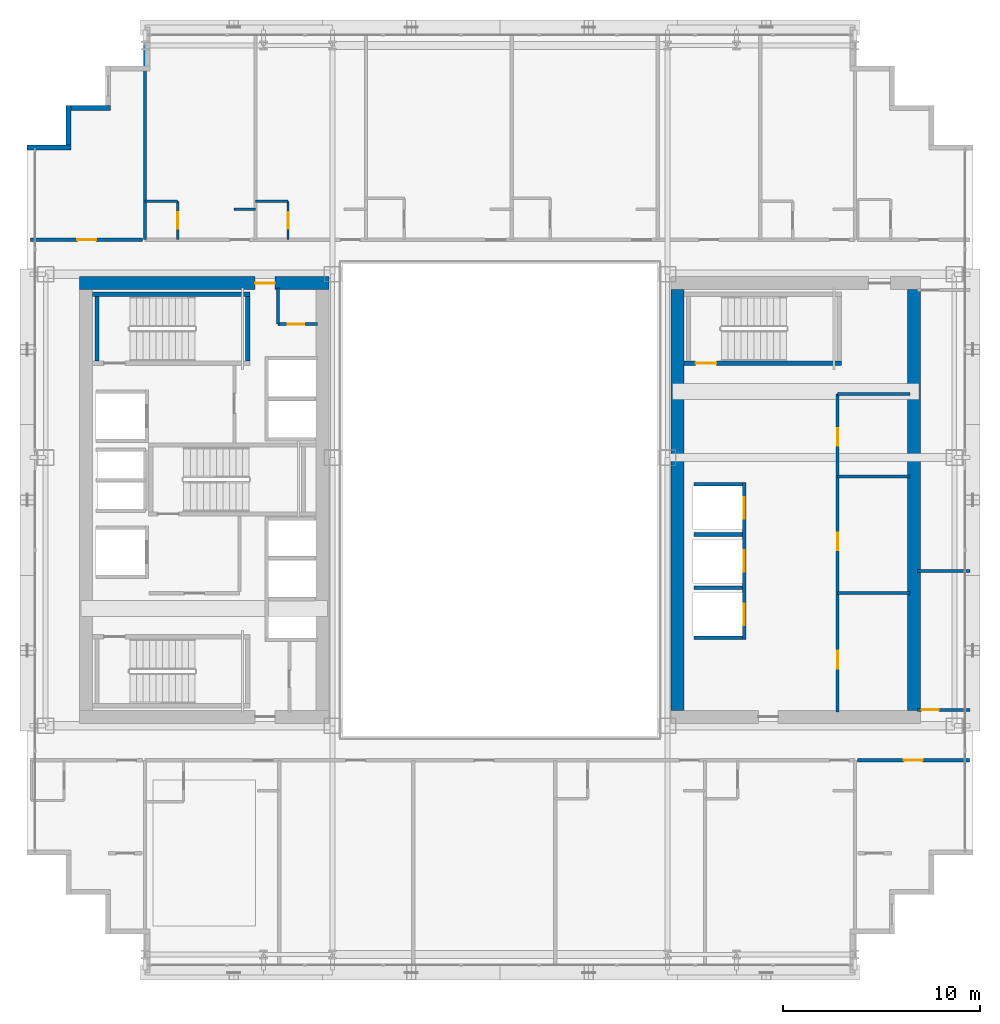
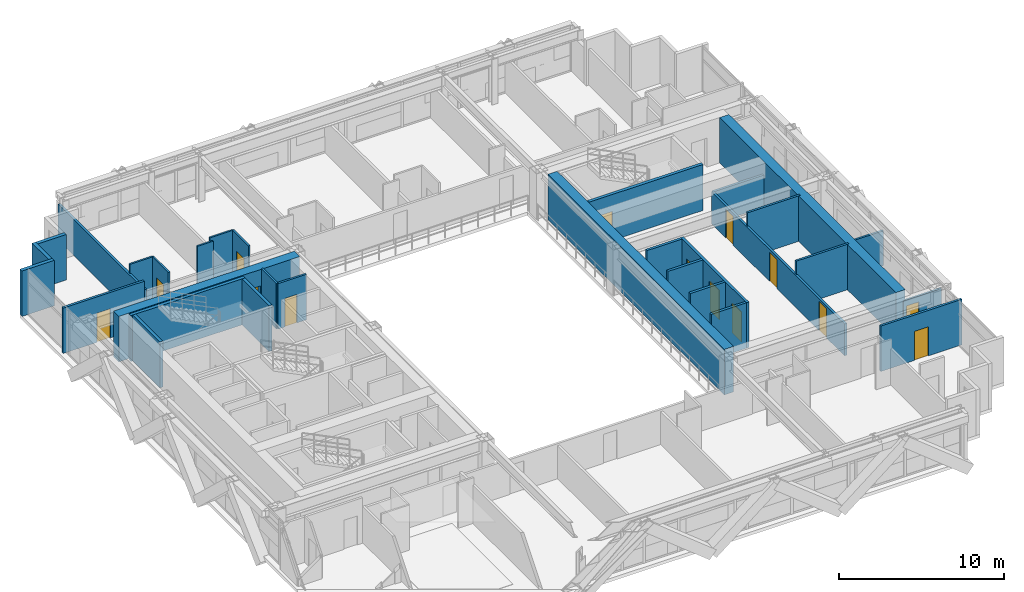
# One storey, part 29 of 35: 31 walls, 14 doors, 14 openings.
"""IFC4 building model written with IfcOpenShell, lengths in metres."""

from ifc_helpers import new_model, si_unit, direction, frame, frame_2d, origin, place, context, subcontext, project, spatial, rectangle, extrude, source, transform, mapped, material, layer, layer_set, type_object, element, fill, save


model = new_model("IFC4")

# Units and contexts
model_context = context("Model", 3, precision=1e-05, world=origin(), true_north=direction((0.0, 1.0)))
body_context = subcontext(model_context, "Body", "Model", "MODEL_VIEW")
ifc_project = project(units=[si_unit("LENGTHUNIT", "METRE"), si_unit("AREAUNIT", "SQUARE_METRE"), si_unit("VOLUMEUNIT", "CUBIC_METRE"), si_unit("PLANEANGLEUNIT", "RADIAN"), si_unit("MASSUNIT", "GRAM", prefix="KILO")], contexts=[model_context])

# Site, building, storey
site_placement = place(None, origin())
site = spatial("IfcSite", under=ifc_project, at=site_placement, CompositionType="ELEMENT")
building_placement = place(site_placement, origin())
building = spatial("IfcBuilding", under=site, at=building_placement, Name="Ocotamira Hotel", CompositionType="ELEMENT")
storey_placement = place(building_placement, frame((0.0, 0.0, 140.39990234375)))
storey = spatial("IfcBuildingStorey", under=building, at=storey_placement, Name="L35", CompositionType="ELEMENT", Elevation=140.39990234375)

# Wall, opening, door
ifc_material_1 = material(Name="Concrete C60/75", Category="concrete")
ifc_layer_1 = layer(ifc_material_1, 0.64990234375)
ifc_layer_set_1 = layer_set([ifc_layer_1], Name="Concrete C60/75")
wall_type_1 = type_object("IfcWallType", Name="WL-CORE-650", PredefinedType="SHEAR", material=ifc_layer_set_1)
wall_1_placement = place(storey_placement, frame((10.675048828125, 37.0, 0.0), z_axis=(0.0, 0.0, 1.0), x_axis=(1.0, 0.0, 0.0)))
wall_1 = element("IfcWall", 1, at=wall_1_placement, inside=storey, type_object=wall_type_1, Name="L35 Shear Core Wall WCORE-N", PredefinedType="SHEAR", context=body_context, shape_type="SweptSolid", body=[
    extrude(rectangle(XDim=12.64990234375, YDim=0.64990234375, at=frame_2d((6.324951171875, 0.0))), origin(), (0.0, 0.0, 1.0), 3.360107421875),
])
opening_1_placement = place(wall_1_placement, frame((8.905029296875, 0.0, 0.0)))
opening_1 = element("IfcOpeningElement", 2, at=opening_1_placement, cuts=wall_1, Name="Opening D-FR2", PredefinedType="OPENING", context=body_context, shape_type="SweptSolid", body=[
    extrude(rectangle(XDim=1.0, YDim=2.14990234375, at=frame_2d((0.5, 1.074951171875))), frame((0.0, 0.3349609375, 0.0), z_axis=(0.0, -1.0, 0.0), x_axis=(1.0, 0.0, 0.0)), (0.0, 0.0, 1.0), 0.669921875),
])
ifc_material_2 = material(Name="Fire-rated acoustic timber-veneer door", Category="wood")
door_type_1 = type_object("IfcDoorType", Name="DR-FIRE-1000", OperationType="NOTDEFINED", PredefinedType="DOOR", material=ifc_material_2)
shared_shape_1 = source(origin(), body_context, "Body", "SweptSolid", [
    extrude(rectangle(XDim=1.0, YDim=2.14990234375, at=frame_2d((0.5, 1.074951171875))), frame((0.0, 0.02490234375, 0.0), z_axis=(0.0, -1.0, 0.0), x_axis=(1.0, 0.0, 0.0)), (0.0, 0.0, 1.0), 0.050048828125),
])
door_1_placement = place(opening_1_placement, origin())
door_1 = element("IfcDoor", 3, at=door_1_placement, inside=storey, type_object=door_type_1, Name="L35 Door ID-L35-WLOB-N-D [ID-L35-WLOB-N-D]", OperationType="SINGLE_SWING_RIGHT", OverallHeight=2.14990234375, OverallWidth=1.0, PredefinedType="DOOR", context=body_context, shape_type="MappedRepresentation", body=[
    mapped(shared_shape_1, transform((0.0, 0.0, 0.0), scale=1.0)),
])
fill(opening_1, door_1)

# Walls
for number, where, z_axis, x_axis, name in (
    (4, (41.0, 15.324951171875, 0.0), (0.0, 0.0, 1.0), (0.0, 1.0, 0.0), "L35 Shear Core Wall ECORE-W"),
    (5, (53.0, 15.324951171875, 0.0), (0.0, 0.0, 1.0), (0.0, 1.0, 0.0), "L35 Shear Core Wall ECORE-E"),
):
    element("IfcWall", number, at=place(storey_placement, frame(where, z_axis=z_axis, x_axis=x_axis)), inside=storey, type_object=wall_type_1, Name=name, PredefinedType="SHEAR", context=body_context, shape_type="SweptSolid", body=[
        extrude(rectangle(XDim=21.35009765625, YDim=0.64990234375, at=frame_2d((10.675048828125, 0.0))), origin(), (0.0, 0.0, 1.0), 3.360107421875),
    ])
ifc_material_3 = material(Name="Precast concrete C45/55", Category="concrete")
ifc_layer_2 = layer(ifc_material_3, 0.25)
ifc_layer_set_2 = layer_set([ifc_layer_2], Name="Precast concrete C45/55")
wall_type_2 = type_object("IfcWallType", Name="WL-EXT-SER-250", PredefinedType="SOLIDWALL", material=ifc_layer_set_2)
for number, where, z_axis, x_axis, name in (
    (6, (12.25, 45.875, 0.0), (0.0, 0.0, 1.0), (-1.0, 0.0, 0.0), "L35 Serrated Corner Wall 16"),
    (7, (10.125, 46.0, 0.0), (0.0, 0.0, 1.0), (0.0, -1.0, 0.0), "L35 Serrated Corner Wall 17"),
):
    element("IfcWall", number, at=place(storey_placement, frame(where, z_axis=z_axis, x_axis=x_axis)), inside=storey, type_object=wall_type_2, Name=name, PredefinedType="SOLIDWALL", context=body_context, shape_type="SweptSolid", body=[
        extrude(rectangle(XDim=2.0, YDim=0.25, at=frame_2d((1.0, 0.0))), origin(), (0.0, 0.0, 1.0), 3.360107421875),
    ])
wall_2_placement = place(storey_placement, frame((10.25, 43.875, 0.0), z_axis=(0.0, 0.0, 1.0), x_axis=(-1.0, 0.0, 0.0)))
element("IfcWall", 8, at=wall_2_placement, inside=storey, type_object=wall_type_2, Name="L35 Serrated Corner Wall 18", PredefinedType="SOLIDWALL", context=body_context, shape_type="SweptSolid", body=[
    extrude(rectangle(XDim=2.25, YDim=0.25, at=frame_2d((1.125, 0.0))), origin(), (0.0, 0.0, 1.0), 3.360107421875),
])
ifc_material_4 = material(Name="Acoustic double-layer fire gypsum board partition", Category="gypsum")
ifc_layer_3 = layer(ifc_material_4, 0.159912109375)
ifc_layer_set_3 = layer_set([ifc_layer_3], Name="Acoustic double-layer fire gypsum board partition")
wall_type_3 = type_object("IfcWallType", Name="WL-FIRE-160", PredefinedType="PARTITIONING", material=ifc_layer_set_3)
wall_3_placement = place(storey_placement, frame((49.1201171875, 31.3798828125, 0.0), z_axis=(0.0, 0.0, 1.0), x_axis=(1.0, 0.0, 0.0)))
element("IfcWall", 9, at=wall_3_placement, inside=storey, type_object=wall_type_3, Name="L35 Interior Wall PW-L35-EC-FLOW-N", PredefinedType="PARTITIONING", context=body_context, shape_type="SweptSolid", body=[
    extrude(rectangle(XDim=3.679931640625, YDim=0.159912109375, at=frame_2d((1.83984375, 0.0))), origin(), (0.0, 0.0, 1.0), 2.360107421875),
])

# Wall, openings, doors
wall_4_placement = place(storey_placement, frame((49.1201171875, 15.25, 0.0), z_axis=(0.0, 0.0, 1.0), x_axis=(0.0, 1.0, 0.0)))
wall_4 = element("IfcWall", 10, at=wall_4_placement, inside=storey, type_object=wall_type_3, Name="L35 Interior Wall PW-L35-EC-FLOW-W", PredefinedType="PARTITIONING", context=body_context, shape_type="SweptSolid", body=[
    extrude(rectangle(XDim=16.1298828125, YDim=0.159912109375, at=frame_2d((8.06494140625, 0.0))), origin(), (0.0, 0.0, 1.0), 2.360107421875),
])
opening_2_placement = place(wall_4_placement, frame((2.199951171875, 0.0, 0.0)))
opening_2 = element("IfcOpeningElement", 11, at=opening_2_placement, cuts=wall_4, Name="Opening D-IN3", PredefinedType="OPENING", context=body_context, shape_type="SweptSolid", body=[
    extrude(rectangle(XDim=0.89990234375, YDim=2.14990234375, at=frame_2d((0.449951171875, 1.074951171875))), frame((0.0, 0.08984375, 0.0), z_axis=(0.0, -1.0, 0.0), x_axis=(1.0, 0.0, 0.0)), (0.0, 0.0, 1.0), 0.179931640625),
])
opening_3_placement = place(wall_4_placement, frame((8.199951171875, 0.0, 0.0)))
opening_3 = element("IfcOpeningElement", 12, at=opening_3_placement, cuts=wall_4, Name="Opening D-IN3", PredefinedType="OPENING", context=body_context, shape_type="SweptSolid", body=[
    extrude(rectangle(XDim=0.89990234375, YDim=2.14990234375, at=frame_2d((0.449951171875, 1.074951171875))), frame((0.0, 0.08984375, 0.0), z_axis=(0.0, -1.0, 0.0), x_axis=(1.0, 0.0, 0.0)), (0.0, 0.0, 1.0), 0.179931640625),
])
opening_4_placement = place(wall_4_placement, frame((13.5, 0.0, 0.0)))
opening_4 = element("IfcOpeningElement", 13, at=opening_4_placement, cuts=wall_4, Name="Opening D-IN3", PredefinedType="OPENING", context=body_context, shape_type="SweptSolid", body=[
    extrude(rectangle(XDim=0.89990234375, YDim=2.14990234375, at=frame_2d((0.449951171875, 1.074951171875))), frame((0.0, 0.08984375, 0.0), z_axis=(0.0, -1.0, 0.0), x_axis=(1.0, 0.0, 0.0)), (0.0, 0.0, 1.0), 0.179931640625),
])
ifc_material_5 = material(Name="Painted service room door", Category="steel")
door_type_2 = type_object("IfcDoorType", Name="DR-INT-900", OperationType="NOTDEFINED", PredefinedType="DOOR", material=ifc_material_5)
shared_shape_2 = source(origin(), body_context, "Body", "SweptSolid", [
    extrude(rectangle(XDim=0.89990234375, YDim=2.14990234375, at=frame_2d((0.449951171875, 1.074951171875))), frame((0.0, 0.02490234375, 0.0), z_axis=(0.0, -1.0, 0.0), x_axis=(1.0, 0.0, 0.0)), (0.0, 0.0, 1.0), 0.050048828125),
])
door_2_placement = place(opening_2_placement, origin())
door_2 = element("IfcDoor", 14, at=door_2_placement, inside=storey, type_object=door_type_2, Name="L35 Door ID-L35-EC-FLOW-D1 [ID-L35-EC-FLOW-D1]", OperationType="SINGLE_SWING_LEFT", OverallHeight=2.14990234375, OverallWidth=0.89990234375, PredefinedType="DOOR", context=body_context, shape_type="MappedRepresentation", body=[
    mapped(shared_shape_2, transform((0.0, 0.0, 0.0), scale=1.0)),
])
fill(opening_2, door_2)
door_3_placement = place(opening_3_placement, origin())
door_3 = element("IfcDoor", 15, at=door_3_placement, inside=storey, type_object=door_type_2, Name="L35 Door ID-L35-EC-FLOW-D2 [ID-L35-EC-FLOW-D2]", OperationType="SINGLE_SWING_RIGHT", OverallHeight=2.14990234375, OverallWidth=0.89990234375, PredefinedType="DOOR", context=body_context, shape_type="MappedRepresentation", body=[
    mapped(shared_shape_2, transform((0.0, 0.0, 0.0), scale=1.0)),
])
fill(opening_3, door_3)
door_4_placement = place(opening_4_placement, origin())
door_4 = element("IfcDoor", 16, at=door_4_placement, inside=storey, type_object=door_type_2, Name="L35 Door ID-L35-EC-FLOW-D3 [ID-L35-EC-FLOW-D3]", OperationType="SINGLE_SWING_LEFT", OverallHeight=2.14990234375, OverallWidth=0.89990234375, PredefinedType="DOOR", context=body_context, shape_type="MappedRepresentation", body=[
    mapped(shared_shape_2, transform((0.0, 0.0, 0.0), scale=1.0)),
])
fill(opening_4, door_4)

# Wall, opening, door
wall_5_placement = place(storey_placement, frame((50.1201171875, 12.800048828125, 0.0), z_axis=(0.0, 0.0, 1.0), x_axis=(1.0, 0.0, 0.0)))
wall_5 = element("IfcWall", 17, at=wall_5_placement, inside=storey, type_object=wall_type_3, Name="L35 Interior Wall PW-L35-Z2E-CSE-CW", PredefinedType="PARTITIONING", context=body_context, shape_type="SweptSolid", body=[
    extrude(rectangle(XDim=5.679931640625, YDim=0.159912109375, at=frame_2d((2.83984375, 0.0))), origin(), (0.0, 0.0, 1.0), 3.360107421875),
])
opening_5_placement = place(wall_5_placement, frame((2.360107421875, 0.0, 0.0)))
opening_5 = element("IfcOpeningElement", 18, at=opening_5_placement, cuts=wall_5, Name="Opening D-SV4", PredefinedType="OPENING", context=body_context, shape_type="SweptSolid", body=[
    extrude(rectangle(XDim=0.9599609375, YDim=2.14990234375, at=frame_2d((0.47998046875, 1.074951171875))), frame((0.0, 0.08984375, 0.0), z_axis=(0.0, -1.0, 0.0), x_axis=(1.0, 0.0, 0.0)), (0.0, 0.0, 1.0), 0.179931640625),
])
ifc_material_6 = material(Name="Fire-rated accessible walnut salon door", Category="wood")
door_type_3 = type_object("IfcDoorType", Name="DR-SERV-960", OperationType="NOTDEFINED", PredefinedType="DOOR", material=ifc_material_6)
shared_shape_3 = source(origin(), body_context, "Body", "SweptSolid", [
    extrude(rectangle(XDim=0.9599609375, YDim=2.14990234375, at=frame_2d((0.47998046875, 1.074951171875))), frame((0.0, 0.02490234375, 0.0), z_axis=(0.0, -1.0, 0.0), x_axis=(1.0, 0.0, 0.0)), (0.0, 0.0, 1.0), 0.050048828125),
])
door_5_placement = place(opening_5_placement, origin())
door_5 = element("IfcDoor", 19, at=door_5_placement, inside=storey, type_object=door_type_3, Name="L35 Door ID-L35-Z2E-CSE-CD [ID-L35-Z2E-CSE-CD]", OperationType="SINGLE_SWING_LEFT", OverallHeight=2.14990234375, OverallWidth=0.9599609375, PredefinedType="DOOR", context=body_context, shape_type="MappedRepresentation", body=[
    mapped(shared_shape_3, transform((0.0, 0.0, 0.0), scale=1.0)),
])
fill(opening_5, door_5)

wall_6_placement = place(storey_placement, frame((8.199951171875, 39.199951171875, 0.0), z_axis=(0.0, 0.0, 1.0), x_axis=(1.0, 0.0, 0.0)))
wall_6 = element("IfcWall", 20, at=wall_6_placement, inside=storey, type_object=wall_type_3, Name="L35 Interior Wall PW-L35-Z2E-CNW-CW", PredefinedType="PARTITIONING", context=body_context, shape_type="SweptSolid", body=[
    extrude(rectangle(XDim=5.679931640625, YDim=0.159912109375, at=frame_2d((2.83984375, 0.0))), origin(), (0.0, 0.0, 1.0), 3.360107421875),
])
opening_6_placement = place(wall_6_placement, frame((2.360107421875, 0.0, 0.0)))
opening_6 = element("IfcOpeningElement", 21, at=opening_6_placement, cuts=wall_6, Name="Opening D-SV4", PredefinedType="OPENING", context=body_context, shape_type="SweptSolid", body=[
    extrude(rectangle(XDim=0.9599609375, YDim=2.14990234375, at=frame_2d((0.47998046875, 1.074951171875))), frame((0.0, 0.08984375, 0.0), z_axis=(0.0, -1.0, 0.0), x_axis=(1.0, 0.0, 0.0)), (0.0, 0.0, 1.0), 0.179931640625),
])
door_6_placement = place(opening_6_placement, origin())
door_6 = element("IfcDoor", 22, at=door_6_placement, inside=storey, type_object=door_type_3, Name="L35 Door ID-L35-Z2E-CNW-CD [ID-L35-Z2E-CNW-CD]", OperationType="SINGLE_SWING_LEFT", OverallHeight=2.14990234375, OverallWidth=0.9599609375, PredefinedType="DOOR", context=body_context, shape_type="MappedRepresentation", body=[
    mapped(shared_shape_3, transform((0.0, 0.0, 0.0), scale=1.0)),
])
fill(opening_6, door_6)

ifc_material_7 = material(Name="Moisture-resistant en-suite tile and gypsum partition", Category="gypsum")
ifc_layer_4 = layer(ifc_material_7, 0.1201171875)
ifc_layer_set_4 = layer_set([ifc_layer_4], Name="Moisture-resistant en-suite tile and gypsum partition")
wall_type_4 = type_object("IfcWallType", Name="WL-PART-120", PredefinedType="PARTITIONING", material=ifc_layer_set_4)
wall_7_placement = place(storey_placement, frame((15.64990234375, 39.199951171875, 0.0), z_axis=(0.0, 0.0, 1.0), x_axis=(0.0, 1.0, 0.0)))
wall_7 = element("IfcWall", 23, at=wall_7_placement, inside=storey, type_object=wall_type_4, Name="L35 Interior Wall PW-L35-Z2EN-BAE1", PredefinedType="PARTITIONING", context=body_context, shape_type="SweptSolid", body=[
    extrude(rectangle(XDim=1.949951171875, YDim=0.1201171875, at=frame_2d((0.97509765625, 0.0))), origin(), (0.0, 0.0, 1.0), 3.360107421875),
])
opening_7_placement = place(wall_7_placement, frame((0.544921875, 0.0, 0.0)))
opening_7 = element("IfcOpeningElement", 24, at=opening_7_placement, cuts=wall_7, Name="Opening D-BA1", PredefinedType="OPENING", context=body_context, shape_type="SweptSolid", body=[
    extrude(rectangle(XDim=0.860107421875, YDim=2.10009765625, at=frame_2d((0.43017578125, 1.050048828125))), frame((0.0, 0.070068359375, 0.0), z_axis=(0.0, -1.0, 0.0), x_axis=(1.0, 0.0, 0.0)), (0.0, 0.0, 1.0), 0.14013671875),
])
ifc_material_8 = material(Name="Moisture-sealed en-suite timber door", Category="wood")
door_type_4 = type_object("IfcDoorType", Name="DR-BATH-860", OperationType="NOTDEFINED", PredefinedType="DOOR", material=ifc_material_8)
shared_shape_4 = source(origin(), body_context, "Body", "SweptSolid", [
    extrude(rectangle(XDim=0.860107421875, YDim=2.10009765625, at=frame_2d((0.43017578125, 1.050048828125))), frame((0.0, 0.02490234375, 0.0), z_axis=(0.0, -1.0, 0.0), x_axis=(1.0, 0.0, 0.0)), (0.0, 0.0, 1.0), 0.050048828125),
])
door_7_placement = place(opening_7_placement, origin())
door_7 = element("IfcDoor", 25, at=door_7_placement, inside=storey, type_object=door_type_4, Name="L35 Door ID-L35-Z2EN-BAD1 [ID-L35-Z2EN-BAD1]", OperationType="SINGLE_SWING_RIGHT", OverallHeight=2.10009765625, OverallWidth=0.860107421875, PredefinedType="DOOR", context=body_context, shape_type="MappedRepresentation", body=[
    mapped(shared_shape_4, transform((0.0, 0.0, 0.0), scale=1.0)),
])
fill(opening_7, door_7)

# Walls
wall_8_placement = place(storey_placement, frame((14.0, 41.14990234375, 0.0), z_axis=(0.0, 0.0, 1.0), x_axis=(1.0, 0.0, 0.0)))
element("IfcWall", 26, at=wall_8_placement, inside=storey, type_object=wall_type_4, Name="L35 Interior Wall PW-L35-Z2EN-BAN1", PredefinedType="PARTITIONING", context=body_context, shape_type="SweptSolid", body=[
    extrude(rectangle(XDim=1.64990234375, YDim=0.1201171875, at=frame_2d((0.824951171875, 0.0))), origin(), (0.0, 0.0, 1.0), 3.360107421875),
])
wall_9_placement = place(storey_placement, frame((18.5, 40.75, 0.0), z_axis=(0.0, 0.0, 1.0), x_axis=(1.0, 0.0, 0.0)))
element("IfcWall", 27, at=wall_9_placement, inside=storey, type_object=wall_type_4, Name="L35 Interior Wall PW-L35-Z2EN-DRN1", PredefinedType="PARTITIONING", context=body_context, shape_type="SweptSolid", body=[
    extrude(rectangle(XDim=1.10009765625, YDim=0.1201171875, at=frame_2d((0.550048828125, 0.0))), origin(), (0.0, 0.0, 1.0), 3.360107421875),
])

# Wall, opening, door
wall_10_placement = place(storey_placement, frame((21.25, 39.199951171875, 0.0), z_axis=(0.0, 0.0, 1.0), x_axis=(0.0, 1.0, 0.0)))
wall_10 = element("IfcWall", 28, at=wall_10_placement, inside=storey, type_object=wall_type_4, Name="L35 Interior Wall PW-L35-Z2EN-BAE2", PredefinedType="PARTITIONING", context=body_context, shape_type="SweptSolid", body=[
    extrude(rectangle(XDim=1.949951171875, YDim=0.1201171875, at=frame_2d((0.97509765625, 0.0))), origin(), (0.0, 0.0, 1.0), 3.360107421875),
])
opening_8_placement = place(wall_10_placement, frame((0.544921875, 0.0, 0.0)))
opening_8 = element("IfcOpeningElement", 29, at=opening_8_placement, cuts=wall_10, Name="Opening D-BA1", PredefinedType="OPENING", context=body_context, shape_type="SweptSolid", body=[
    extrude(rectangle(XDim=0.860107421875, YDim=2.10009765625, at=frame_2d((0.43017578125, 1.050048828125))), frame((0.0, 0.070068359375, 0.0), z_axis=(0.0, -1.0, 0.0), x_axis=(1.0, 0.0, 0.0)), (0.0, 0.0, 1.0), 0.14013671875),
])
door_8_placement = place(opening_8_placement, origin())
door_8 = element("IfcDoor", 30, at=door_8_placement, inside=storey, type_object=door_type_4, Name="L35 Door ID-L35-Z2EN-BAD2 [ID-L35-Z2EN-BAD2]", OperationType="SINGLE_SWING_LEFT", OverallHeight=2.10009765625, OverallWidth=0.860107421875, PredefinedType="DOOR", context=body_context, shape_type="MappedRepresentation", body=[
    mapped(shared_shape_4, transform((0.0, 0.0, 0.0), scale=1.0)),
])
fill(opening_8, door_8)

# Walls
wall_11_placement = place(storey_placement, frame((19.60009765625, 41.14990234375, 0.0), z_axis=(0.0, 0.0, 1.0), x_axis=(1.0, 0.0, 0.0)))
element("IfcWall", 31, at=wall_11_placement, inside=storey, type_object=wall_type_4, Name="L35 Interior Wall PW-L35-Z2EN-BAN2", PredefinedType="PARTITIONING", context=body_context, shape_type="SweptSolid", body=[
    extrude(rectangle(XDim=1.64990234375, YDim=0.1201171875, at=frame_2d((0.824951171875, 0.0))), origin(), (0.0, 0.0, 1.0), 3.360107421875),
])
ifc_material_9 = material(Name="Acoustic hospitality gypsum board partition", Category="gypsum")
ifc_layer_5 = layer(ifc_material_9, 0.14208984375)
ifc_layer_set_5 = layer_set([ifc_layer_5], Name="Acoustic hospitality gypsum board partition")
wall_type_5 = type_object("IfcWallType", Name="WL-PART-142", PredefinedType="PARTITIONING", material=ifc_layer_set_5)
wall_12_placement = place(storey_placement, frame((20.739990234375, 34.919921875, 0.0), z_axis=(0.0, 0.0, 1.0), x_axis=(0.0, 1.0, 0.0)))
element("IfcWall", 32, at=wall_12_placement, inside=storey, type_object=wall_type_5, Name="L35 Interior Wall PW-L35-WC-NE-W1", PredefinedType="PARTITIONING", context=body_context, shape_type="SweptSolid", body=[
    extrude(rectangle(XDim=1.830078125, YDim=0.14208984375, at=frame_2d((0.9150390625, 0.0))), origin(), (0.0, 0.0, 1.0), 3.360107421875),
])

# Wall, opening, door
wall_13_placement = place(storey_placement, frame((20.739990234375, 34.919921875, 0.0), z_axis=(0.0, 0.0, 1.0), x_axis=(1.0, 0.0, 0.0)))
wall_13 = element("IfcWall", 33, at=wall_13_placement, inside=storey, type_object=wall_type_5, Name="L35 Interior Wall PW-L35-WC-NE-S1", PredefinedType="PARTITIONING", context=body_context, shape_type="SweptSolid", body=[
    extrude(rectangle(XDim=2.010009765625, YDim=0.14208984375, at=frame_2d((1.0048828125, 0.0))), origin(), (0.0, 0.0, 1.0), 3.360107421875),
])
opening_9_placement = place(wall_13_placement, frame((0.5, 0.0, 0.0)))
opening_9 = element("IfcOpeningElement", 34, at=opening_9_placement, cuts=wall_13, Name="Opening D-SV1", PredefinedType="OPENING", context=body_context, shape_type="SweptSolid", body=[
    extrude(rectangle(XDim=0.840087890625, YDim=2.10009765625, at=frame_2d((0.419921875, 1.050048828125))), frame((0.0, 0.0810546875, 0.0), z_axis=(0.0, -1.0, 0.0), x_axis=(1.0, 0.0, 0.0)), (0.0, 0.0, 1.0), 0.162109375),
])
ifc_material_10 = material(Name="Fire-rated painted steel service door", Category="steel")
door_type_5 = type_object("IfcDoorType", Name="DR-SERV-840", OperationType="NOTDEFINED", PredefinedType="DOOR", material=ifc_material_10)
shared_shape_5 = source(origin(), body_context, "Body", "SweptSolid", [
    extrude(rectangle(XDim=0.840087890625, YDim=2.10009765625, at=frame_2d((0.419921875, 1.050048828125))), frame((0.0, 0.02490234375, 0.0), z_axis=(0.0, -1.0, 0.0), x_axis=(1.0, 0.0, 0.0)), (0.0, 0.0, 1.0), 0.050048828125),
])
door_9_placement = place(opening_9_placement, origin())
door_9 = element("IfcDoor", 35, at=door_9_placement, inside=storey, type_object=door_type_5, Name="L35 Door ID-L35-WC-NE-D1 [ID-L35-WC-NE-D1]", OperationType="SINGLE_SWING_LEFT", OverallHeight=2.10009765625, OverallWidth=0.840087890625, PredefinedType="DOOR", context=body_context, shape_type="MappedRepresentation", body=[
    mapped(shared_shape_5, transform((0.0, 0.0, 0.0), scale=1.0)),
])
fill(opening_9, door_9)

# Walls
wall_14_placement = place(storey_placement, frame((53.179931640625, 22.39990234375, 0.0), z_axis=(0.0, 0.0, 1.0), x_axis=(1.0, 0.0, 0.0)))
element("IfcWall", 36, at=wall_14_placement, inside=storey, type_object=wall_type_5, Name="L35 Interior Wall PW-L35-Z2E-EF-DV1", PredefinedType="PARTITIONING", context=body_context, shape_type="SweptSolid", body=[
    extrude(rectangle(XDim=2.66015625, YDim=0.14208984375, at=frame_2d((1.330078125, 0.0))), origin(), (0.0, 0.0, 1.0), 2.5810546875),
])
ifc_layer_6 = layer(ifc_material_9, 0.14990234375)
ifc_layer_set_6 = layer_set([ifc_layer_6], Name="Acoustic hospitality gypsum board partition")
wall_type_6 = type_object("IfcWallType", Name="WL-PART-150", PredefinedType="PARTITIONING", material=ifc_layer_set_6)
for number, where, z_axis, x_axis, name in (
    (37, (49.1201171875, 21.2900390625, 0.0), (0.0, 0.0, 1.0), (1.0, 0.0, 0.0), "L35 Interior Wall PW-L35-EC-FDIV1"),
    (38, (49.1201171875, 27.18994140625, 0.0), (0.0, 0.0, 1.0), (1.0, 0.0, 0.0), "L35 Interior Wall PW-L35-EC-FDIV2"),
):
    element("IfcWall", number, at=place(storey_placement, frame(where, z_axis=z_axis, x_axis=x_axis)), inside=storey, type_object=wall_type_6, Name=name, PredefinedType="PARTITIONING", context=body_context, shape_type="SweptSolid", body=[
        extrude(rectangle(XDim=3.679931640625, YDim=0.14990234375, at=frame_2d((1.83984375, 0.0))), origin(), (0.0, 0.0, 1.0), 3.360107421875),
    ])

# Wall, opening, door
wall_15_placement = place(storey_placement, frame((53.179931640625, 15.360107421875, 0.0), z_axis=(0.0, 0.0, 1.0), x_axis=(1.0, 0.0, 0.0)))
wall_15 = element("IfcWall", 39, at=wall_15_placement, inside=storey, type_object=wall_type_6, Name="L35 Interior Wall PW-L35-Z2E-EF-WS", PredefinedType="PARTITIONING", context=body_context, shape_type="SweptSolid", body=[
    extrude(rectangle(XDim=2.66015625, YDim=0.14990234375, at=frame_2d((1.330078125, 0.0))), origin(), (0.0, 0.0, 1.0), 2.5810546875),
])
opening_10_placement = place(wall_15_placement, frame((0.199951171875, 0.0, 0.0)))
opening_10 = element("IfcOpeningElement", 40, at=opening_10_placement, cuts=wall_15, Name="Opening D-SV2", PredefinedType="OPENING", context=body_context, shape_type="SweptSolid", body=[
    extrude(rectangle(XDim=0.8798828125, YDim=2.14990234375, at=frame_2d((0.43994140625, 1.074951171875))), frame((0.0, 0.0849609375, 0.0), z_axis=(0.0, -1.0, 0.0), x_axis=(1.0, 0.0, 0.0)), (0.0, 0.0, 1.0), 0.169921875),
])
door_type_6 = type_object("IfcDoorType", Name="DR-SERV-880", OperationType="NOTDEFINED", PredefinedType="DOOR", material=ifc_material_10)
shared_shape_6 = source(origin(), body_context, "Body", "SweptSolid", [
    extrude(rectangle(XDim=0.8798828125, YDim=2.14990234375, at=frame_2d((0.43994140625, 1.074951171875))), frame((0.0, 0.02490234375, 0.0), z_axis=(0.0, -1.0, 0.0), x_axis=(1.0, 0.0, 0.0)), (0.0, 0.0, 1.0), 0.050048828125),
])
door_10_placement = place(opening_10_placement, origin())
door_10 = element("IfcDoor", 41, at=door_10_placement, inside=storey, type_object=door_type_6, Name="L35 Door ID-L35-Z2E-EF-DS [ID-L35-Z2E-EF-DS]", OperationType="SINGLE_SWING_RIGHT", OverallHeight=2.14990234375, OverallWidth=0.8798828125, PredefinedType="DOOR", context=body_context, shape_type="MappedRepresentation", body=[
    mapped(shared_shape_6, transform((0.0, 0.0, 0.0), scale=1.0)),
])
fill(opening_10, door_10)

# Wall
ifc_material_11 = material(Name="Acoustic double-stud hospitality gypsum partition", Category="gypsum")
ifc_layer_7 = layer(ifc_material_11, 0.159912109375)
ifc_layer_set_7 = layer_set([ifc_layer_7], Name="Acoustic double-stud hospitality gypsum partition")
wall_type_7 = type_object("IfcWallType", Name="WL-PART-160", PredefinedType="PARTITIONING", material=ifc_layer_set_7)
wall_16_placement = place(storey_placement, frame((14.0, 39.199951171875, 0.0), z_axis=(0.0, 0.0, 1.0), x_axis=(0.0, 1.0, 0.0)))
element("IfcWall", 42, at=wall_16_placement, inside=storey, type_object=wall_type_7, Name="L35 Interior Wall PW-L35-Z2EN-PW0", PredefinedType="PARTITIONING", context=body_context, shape_type="SweptSolid", body=[
    extrude(rectangle(XDim=10.43994140625, YDim=0.159912109375, at=frame_2d((5.219970703125, 0.0))), origin(), (0.0, 0.0, 1.0), 2.6669921875),
])

# Wall, openings, doors
ifc_material_12 = material(Name="Fire-rated gypsum shaftliner board assembly", Category="gypsum")
ifc_layer_8 = layer(ifc_material_12, 0.179931640625)
ifc_layer_set_8 = layer_set([ifc_layer_8], Name="Fire-rated gypsum shaftliner board assembly")
wall_type_8 = type_object("IfcWallType", Name="WL-SHAFT-180", PredefinedType="SOLIDWALL", material=ifc_layer_set_8)
wall_17_placement = place(storey_placement, frame((44.389892578125, 18.919921875, 0.0), z_axis=(0.0, 0.0, 1.0), x_axis=(0.0, 1.0, 0.0)))
wall_17 = element("IfcWall", 43, at=wall_17_placement, inside=storey, type_object=wall_type_8, Name="L35 Interior Wall PW-L35-LFW-BANK-mid-F", PredefinedType="SOLIDWALL", context=body_context, shape_type="SweptSolid", body=[
    extrude(rectangle(XDim=7.9599609375, YDim=0.179931640625, at=frame_2d((3.97998046875, 0.0))), origin(), (0.0, 0.0, 1.0), 3.360107421875),
])
opening_11_placement = place(wall_17_placement, frame((0.72998046875, 0.0, 0.0)))
opening_11 = element("IfcOpeningElement", 44, at=opening_11_placement, cuts=wall_17, Name="Opening LD-LF-P4", PredefinedType="OPENING", context=body_context, shape_type="SweptSolid", body=[
    extrude(rectangle(XDim=1.10009765625, YDim=2.199951171875, at=frame_2d((0.550048828125, 1.10009765625))), frame((0.0, 0.10009765625, 0.0), z_axis=(0.0, -1.0, 0.0), x_axis=(1.0, 0.0, 0.0)), (0.0, 0.0, 1.0), 0.199951171875),
])
opening_12_placement = place(wall_17_placement, frame((3.429931640625, 0.0, 0.0)))
opening_12 = element("IfcOpeningElement", 45, at=opening_12_placement, cuts=wall_17, Name="Opening LD-LF-P5", PredefinedType="OPENING", context=body_context, shape_type="SweptSolid", body=[
    extrude(rectangle(XDim=1.10009765625, YDim=2.199951171875, at=frame_2d((0.550048828125, 1.10009765625))), frame((0.0, 0.10009765625, 0.0), z_axis=(0.0, -1.0, 0.0), x_axis=(1.0, 0.0, 0.0)), (0.0, 0.0, 1.0), 0.199951171875),
])
opening_13_placement = place(wall_17_placement, frame((6.1298828125, 0.0, 0.0)))
opening_13 = element("IfcOpeningElement", 46, at=opening_13_placement, cuts=wall_17, Name="Opening LD-LF-P6", PredefinedType="OPENING", context=body_context, shape_type="SweptSolid", body=[
    extrude(rectangle(XDim=1.10009765625, YDim=2.199951171875, at=frame_2d((0.550048828125, 1.10009765625))), frame((0.0, 0.10009765625, 0.0), z_axis=(0.0, -1.0, 0.0), x_axis=(1.0, 0.0, 0.0)), (0.0, 0.0, 1.0), 0.199951171875),
])
ifc_material_13 = material(Name="Brushed pale-metal stainless elevator landing door", Category="steel")
door_type_7 = type_object("IfcDoorType", Name="DR-LIFT-1100", OperationType="NOTDEFINED", PredefinedType="DOOR", material=ifc_material_13)
shared_shape_7 = source(origin(), body_context, "Body", "SweptSolid", [
    extrude(rectangle(XDim=1.10009765625, YDim=2.199951171875, at=frame_2d((0.550048828125, 1.10009765625))), frame((0.0, 0.02490234375, 0.0), z_axis=(0.0, -1.0, 0.0), x_axis=(1.0, 0.0, 0.0)), (0.0, 0.0, 1.0), 0.050048828125),
])
door_11_placement = place(opening_11_placement, origin())
door_11 = element("IfcDoor", 47, at=door_11_placement, inside=storey, type_object=door_type_7, Name="L35 Landing Door LD-LF-P4 [ID-L35-LD-LF-P4]", OperationType="DOUBLE_DOOR_SLIDING", OverallHeight=2.199951171875, OverallWidth=1.10009765625, PredefinedType="DOOR", context=body_context, shape_type="MappedRepresentation", body=[
    mapped(shared_shape_7, transform((0.0, 0.0, 0.0), scale=1.0)),
])
fill(opening_11, door_11)
door_12_placement = place(opening_12_placement, origin())
door_12 = element("IfcDoor", 48, at=door_12_placement, inside=storey, type_object=door_type_7, Name="L35 Landing Door LD-LF-P5 [ID-L35-LD-LF-P5]", OperationType="DOUBLE_DOOR_SLIDING", OverallHeight=2.199951171875, OverallWidth=1.10009765625, PredefinedType="DOOR", context=body_context, shape_type="MappedRepresentation", body=[
    mapped(shared_shape_7, transform((0.0, 0.0, 0.0), scale=1.0)),
])
fill(opening_12, door_12)
door_13_placement = place(opening_13_placement, origin())
door_13 = element("IfcDoor", 49, at=door_13_placement, inside=storey, type_object=door_type_7, Name="L35 Landing Door LD-LF-P6 [ID-L35-LD-LF-P6]", OperationType="DOUBLE_DOOR_SLIDING", OverallHeight=2.199951171875, OverallWidth=1.10009765625, PredefinedType="DOOR", context=body_context, shape_type="MappedRepresentation", body=[
    mapped(shared_shape_7, transform((0.0, 0.0, 0.0), scale=1.0)),
])
fill(opening_13, door_13)

# Walls
for number, where, z_axis, x_axis, name in (
    (50, (41.85009765625, 19.010009765625, 0.0), (0.0, 0.0, 1.0), (1.0, 0.0, 0.0), "L35 Interior Wall PW-L35-LFW-BANK-mid-S"),
    (51, (41.85009765625, 26.7900390625, 0.0), (0.0, 0.0, 1.0), (1.0, 0.0, 0.0), "L35 Interior Wall PW-L35-LFW-BANK-mid-N"),
    (52, (41.85009765625, 21.550048828125, 0.0), (0.0, 0.0, 1.0), (1.0, 0.0, 0.0), "L35 Interior Wall PW-L35-LFW-DIV-LF-P4"),
    (53, (41.85009765625, 24.25, 0.0), (0.0, 0.0, 1.0), (1.0, 0.0, 0.0), "L35 Interior Wall PW-L35-LFW-DIV-LF-P5"),
):
    element("IfcWall", number, at=place(storey_placement, frame(where, z_axis=z_axis, x_axis=x_axis)), inside=storey, type_object=wall_type_8, Name=name, PredefinedType="SOLIDWALL", context=body_context, shape_type="SweptSolid", body=[
        extrude(rectangle(XDim=2.449951171875, YDim=0.179931640625, at=frame_2d((1.22509765625, 0.0))), origin(), (0.0, 0.0, 1.0), 3.360107421875),
    ])
ifc_material_14 = material(Name="Concrete C50/60", Category="concrete")
ifc_layer_9 = layer(ifc_material_14, 0.219970703125)
ifc_layer_set_9 = layer_set([ifc_layer_9], Name="Concrete C50/60")
wall_type_9 = type_object("IfcWallType", Name="WL-STAIR-220", PredefinedType="SHEAR", material=ifc_layer_set_9)
wall_18_placement = place(storey_placement, frame((11.324951171875, 36.43994140625, 0.0), z_axis=(0.0, 0.0, 1.0), x_axis=(1.0, 0.0, 0.0)))
element("IfcWall", 54, at=wall_18_placement, inside=storey, type_object=wall_type_9, Name="L35 Stair Shaft Structural Wall ST-2-N", PredefinedType="SHEAR", context=body_context, shape_type="SweptSolid", body=[
    extrude(rectangle(XDim=7.985107421875, YDim=0.219970703125, at=frame_2d((3.99267578125, 0.0))), origin(), (0.0, 0.0, 1.0), 3.400146484375),
])
for number, where, z_axis, x_axis, name in (
    (55, (11.56005859375, 33.050048828125, 0.0), (0.0, 0.0, 1.0), (0.0, 1.0, 0.0), "L35 Stair Shaft Structural Wall ST-2-W"),
    (56, (19.199951171875, 33.050048828125, 0.0), (0.0, 0.0, 1.0), (0.0, 1.0, 0.0), "L35 Stair Shaft Structural Wall ST-2-E"),
):
    element("IfcWall", number, at=place(storey_placement, frame(where, z_axis=z_axis, x_axis=x_axis)), inside=storey, type_object=wall_type_9, Name=name, PredefinedType="SHEAR", context=body_context, shape_type="SweptSolid", body=[
        extrude(rectangle(XDim=3.280029296875, YDim=0.219970703125, at=frame_2d((1.64013671875, 0.0))), origin(), (0.0, 0.0, 1.0), 3.400146484375),
    ])

# Wall, opening, door
wall_19_placement = place(storey_placement, frame((41.324951171875, 32.93994140625, 0.0), z_axis=(0.0, 0.0, 1.0), x_axis=(1.0, 0.0, 0.0)))
wall_19 = element("IfcWall", 57, at=wall_19_placement, inside=storey, type_object=wall_type_9, Name="L35 Stair Shaft Structural Wall ST-4-S", PredefinedType="SHEAR", context=body_context, shape_type="SweptSolid", body=[
    extrude(rectangle(XDim=7.985107421875, YDim=0.219970703125, at=frame_2d((3.99267578125, 0.0))), origin(), (0.0, 0.0, 1.0), 3.400146484375),
])
opening_14_placement = place(wall_19_placement, frame((0.594970703125, 0.0, 0.0)))
opening_14 = element("IfcOpeningElement", 58, at=opening_14_placement, cuts=wall_19, Name="Opening D-ST2", PredefinedType="OPENING", context=body_context, shape_type="SweptSolid", body=[
    extrude(rectangle(XDim=1.050048828125, YDim=2.14990234375, at=frame_2d((0.52490234375, 1.074951171875))), frame((0.0, 0.1201171875, 0.0), z_axis=(0.0, -1.0, 0.0), x_axis=(1.0, 0.0, 0.0)), (0.0, 0.0, 1.0), 0.239990234375),
])
ifc_material_15 = material(Name="Insulated painted hollow-metal fire exit door", Category="steel")
door_type_8 = type_object("IfcDoorType", Name="DR-STAIR-1050", OperationType="NOTDEFINED", PredefinedType="DOOR", material=ifc_material_15)
shared_shape_8 = source(origin(), body_context, "Body", "SweptSolid", [
    extrude(rectangle(XDim=1.050048828125, YDim=2.14990234375, at=frame_2d((0.52490234375, 1.074951171875))), frame((0.0, 0.02490234375, 0.0), z_axis=(0.0, -1.0, 0.0), x_axis=(1.0, 0.0, 0.0)), (0.0, 0.0, 1.0), 0.050048828125),
])
door_14_placement = place(opening_14_placement, origin())
door_14 = element("IfcDoor", 59, at=door_14_placement, inside=storey, type_object=door_type_8, Name="L35 Door ID-L35-STD-ST-4 [ID-L35-STD-ST-4]", OperationType="SINGLE_SWING_LEFT", OverallHeight=2.14990234375, OverallWidth=1.050048828125, PredefinedType="DOOR", context=body_context, shape_type="MappedRepresentation", body=[
    mapped(shared_shape_8, transform((0.0, 0.0, 0.0), scale=1.0)),
])
fill(opening_14, door_14)

save(model, "model.ifc")
